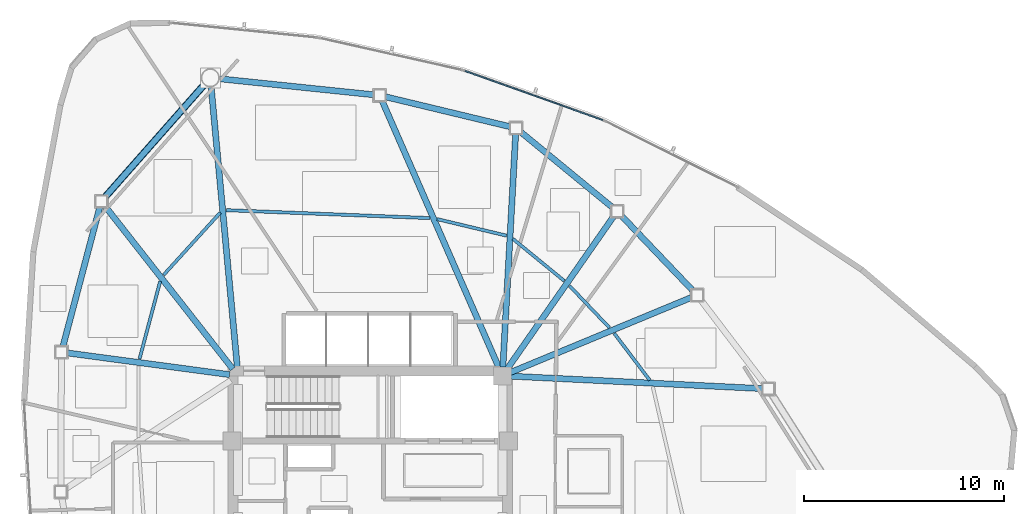
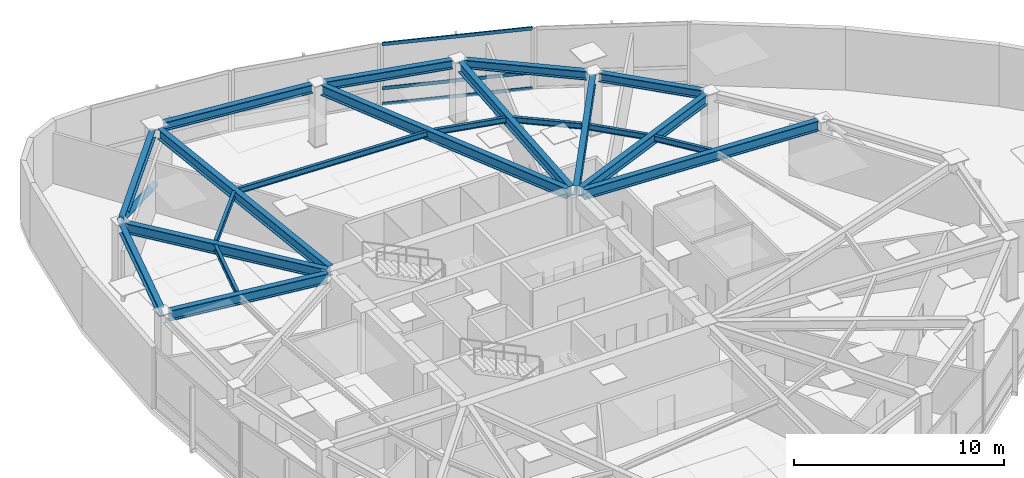
# One storey, part 7 of 17: 21 beams, 4 members, 1 element without a shape of its own.
"""IFC4 building model written with IfcOpenShell, lengths in metres."""

from ifc_helpers import new_model, si_unit, direction, frame, origin, origin_2d, place, context, subcontext, project, spatial, hollow_rectangle, hollow_circle, i_section, extrude, source, transform, mapped, material, layer, layer_set, material_profile, profile_set, type_object, type_shapes, element, aggregate, save


model = new_model("IFC4")

# Units and contexts
model_context = context("Model", 3, precision=1e-05, world=origin(), true_north=direction((0.0, 1.0)))
body_context = subcontext(model_context, "Body", "Model", "MODEL_VIEW")
ifc_project = project(units=[si_unit("LENGTHUNIT", "METRE"), si_unit("AREAUNIT", "SQUARE_METRE"), si_unit("VOLUMEUNIT", "CUBIC_METRE"), si_unit("PLANEANGLEUNIT", "RADIAN"), si_unit("MASSUNIT", "GRAM", prefix="KILO")], contexts=[model_context])

# Site, building, storey
site_placement = place(None, origin())
site = spatial("IfcSite", under=ifc_project, at=site_placement, CompositionType="ELEMENT")
building_placement = place(site_placement, origin())
building = spatial("IfcBuilding", under=site, at=building_placement, Name="Tavelor Broadcast Tower", CompositionType="ELEMENT")
storey_placement = place(building_placement, frame((0.0, 0.0, 188.75)))
storey = spatial("IfcBuildingStorey", under=building, at=storey_placement, Name="L45", CompositionType="ELEMENT", Elevation=188.75)

# Beams
ifc_material_1 = material(Name="Steel S355", Category="steel")
ifc_material_profile_1 = material_profile(ifc_material_1, i_section(OverallWidth=0.159912109375, OverallDepth=0.330078125, WebThickness=0.007568359375, FlangeThickness=0.011474609375, at=origin_2d()), Name="IPE 330")
ifc_profile_set_1 = profile_set([ifc_material_profile_1], Name="Steel S355")
beam_type_1 = type_object("IfcBeamType", Name="Composite Floor Joist T4 IPE 330", PredefinedType="JOIST", material=ifc_profile_set_1)
beam_1_placement = place(storey_placement, frame((42.505615234375, 59.343505859375, 3.385009765625), z_axis=(-0.672852052716, -0.739777071256, 0.0), x_axis=(0.739777071256, -0.672852052716, 0.0)))
element("IfcBeam", 1, at=beam_1_placement, inside=storey, type_object=beam_type_1, Name="L45 Secondary Composite Floor Joist 01", PredefinedType="JOIST", context=body_context, shape_type="SweptSolid", body=[
    extrude(i_section(OverallWidth=0.159912109375, OverallDepth=0.330078125, WebThickness=0.007568359375, FlangeThickness=0.011474609375, at=origin_2d()), origin(), (0.0, 0.0, 1.0), 4.202392578125),
])
beam_2_placement = place(storey_placement, frame((39.509521484375, 55.92578125, 3.385009765625), z_axis=(-0.256963595852, -0.966421083383, 0.0), x_axis=(0.966421083383, -0.256963595852, 0.0)))
element("IfcBeam", 2, at=beam_2_placement, inside=storey, type_object=beam_type_1, Name="L45 Secondary Composite Floor Joist 02", PredefinedType="JOIST", context=body_context, shape_type="SweptSolid", body=[
    extrude(i_section(OverallWidth=0.159912109375, OverallDepth=0.330078125, WebThickness=0.007568359375, FlangeThickness=0.011474609375, at=origin_2d()), origin(), (0.0, 0.0, 1.0), 4.021728515625),
])
beam_3_placement = place(storey_placement, frame((63.959716796875, 50.9755859375, 3.385009765625), z_axis=(-0.604116162247, 0.796896268351, 0.0), x_axis=(-0.796896268351, -0.604116162247, 0.0)))
element("IfcBeam", 3, at=beam_3_placement, inside=storey, type_object=beam_type_1, Name="L45 Secondary Composite Floor Joist 14", PredefinedType="JOIST", context=body_context, shape_type="SweptSolid", body=[
    extrude(i_section(OverallWidth=0.159912109375, OverallDepth=0.330078125, WebThickness=0.007568359375, FlangeThickness=0.011474609375, at=origin_2d()), origin(), (0.0, 0.0, 1.0), 2.94580078125),
])
beam_4_placement = place(storey_placement, frame((61.946044921875, 53.59814453125, 3.385009765625), z_axis=(-0.689642531817, 0.724149969487, 0.0), x_axis=(-0.724149969487, -0.689642531817, 0.0)))
element("IfcBeam", 4, at=beam_4_placement, inside=storey, type_object=beam_type_1, Name="L45 Secondary Composite Floor Joist 15", PredefinedType="JOIST", context=body_context, shape_type="SweptSolid", body=[
    extrude(i_section(OverallWidth=0.159912109375, OverallDepth=0.330078125, WebThickness=0.007568359375, FlangeThickness=0.011474609375, at=origin_2d()), origin(), (0.0, 0.0, 1.0), 2.893798828125),
])
beam_5_placement = place(storey_placement, frame((59.685791015625, 55.939453125, 3.385009765625), z_axis=(-0.773655391446, 0.633606609251, 0.0), x_axis=(-0.633606609251, -0.773655391446, 0.0)))
element("IfcBeam", 5, at=beam_5_placement, inside=storey, type_object=beam_type_1, Name="L45 Secondary Composite Floor Joist 16", PredefinedType="JOIST", context=body_context, shape_type="SweptSolid", body=[
    extrude(i_section(OverallWidth=0.159912109375, OverallDepth=0.330078125, WebThickness=0.007568359375, FlangeThickness=0.011474609375, at=origin_2d()), origin(), (0.0, 0.0, 1.0), 3.315673828125),
])
beam_6_placement = place(storey_placement, frame((56.804443359375, 58.197021484375, 3.385009765625), z_axis=(-0.972674676245, 0.232172294196, 0.0), x_axis=(-0.232172294196, -0.972674676245, 0.0)))
element("IfcBeam", 6, at=beam_6_placement, inside=storey, type_object=beam_type_1, Name="L45 Secondary Composite Floor Joist 17", PredefinedType="JOIST", context=body_context, shape_type="SweptSolid", body=[
    extrude(i_section(OverallWidth=0.159912109375, OverallDepth=0.330078125, WebThickness=0.007568359375, FlangeThickness=0.011474609375, at=origin_2d()), origin(), (0.0, 0.0, 1.0), 3.56884765625),
])
beam_7_placement = place(storey_placement, frame((52.976318359375, 59.07470703125, 3.385009765625), z_axis=(-0.999243420365, 0.038891989637, 0.0), x_axis=(-0.038891989637, -0.999243420365, 0.0)))
element("IfcBeam", 7, at=beam_7_placement, inside=storey, type_object=beam_type_1, Name="L45 Secondary Composite Floor Joist 18", PredefinedType="JOIST", context=body_context, shape_type="SweptSolid", body=[
    extrude(i_section(OverallWidth=0.159912109375, OverallDepth=0.330078125, WebThickness=0.007568359375, FlangeThickness=0.011474609375, at=origin_2d()), origin(), (0.0, 0.0, 1.0), 10.17578125),
])
ifc_material_profile_2 = material_profile(ifc_material_1, i_section(OverallWidth=0.300048828125, OverallDepth=0.5, WebThickness=0.014404296875, FlangeThickness=0.028076171875, at=origin_2d()), Name="HEB 500")
ifc_profile_set_2 = profile_set([ifc_material_profile_2], Name="Steel S355")
beam_type_2 = type_object("IfcBeamType", Name="Perimeter Spandrel Beam T4 HEB 500", PredefinedType="SPANDREL", material=ifc_profile_set_2)
beam_8_placement = place(storey_placement, frame((41.720947265625, 65.7509765625, 3.300048828125), z_axis=(-0.661625943185, -0.749834055845, 0.0), x_axis=(0.749834055845, -0.661625943185, 0.0)))
element("IfcBeam", 8, at=beam_8_placement, inside=storey, type_object=beam_type_2, Name="L45 Framed-Tube Ring Spandrel 01", PredefinedType="SPANDREL", context=body_context, shape_type="SweptSolid", body=[
    extrude(i_section(OverallWidth=0.300048828125, OverallDepth=0.5, WebThickness=0.014404296875, FlangeThickness=0.028076171875, at=origin_2d()), origin(), (0.0, 0.0, 1.0), 7.500732421875),
])
beam_9_placement = place(storey_placement, frame((36.493896484375, 59.63232421875, 3.300048828125), z_axis=(-0.255762341211, -0.96673968824, 0.0), x_axis=(0.96673968824, -0.255762341211, 0.0)))
element("IfcBeam", 9, at=beam_9_placement, inside=storey, type_object=beam_type_2, Name="L45 Framed-Tube Ring Spandrel 02", PredefinedType="SPANDREL", context=body_context, shape_type="SweptSolid", body=[
    extrude(i_section(OverallWidth=0.300048828125, OverallDepth=0.5, WebThickness=0.014404296875, FlangeThickness=0.028076171875, at=origin_2d()), origin(), (0.0, 0.0, 1.0), 7.214599609375),
])
beam_10_placement = place(storey_placement, frame((66.123291015625, 55.437255859375, 3.300048828125), z_axis=(-0.689936010055, 0.723870362723, 0.0), x_axis=(-0.723870362723, -0.689936010055, 0.0)))
element("IfcBeam", 10, at=beam_10_placement, inside=storey, type_object=beam_type_2, Name="L45 Framed-Tube Ring Spandrel 15", PredefinedType="SPANDREL", context=body_context, shape_type="SweptSolid", body=[
    extrude(i_section(OverallWidth=0.300048828125, OverallDepth=0.5, WebThickness=0.014404296875, FlangeThickness=0.028076171875, at=origin_2d()), origin(), (0.0, 0.0, 1.0), 5.208740234375),
])
beam_11_placement = place(storey_placement, frame((62.1083984375, 59.59912109375, 3.300048828125), z_axis=(-0.772717651191, 0.634749896839, 0.0), x_axis=(-0.634749896839, -0.772717651191, 0.0)))
element("IfcBeam", 11, at=beam_11_placement, inside=storey, type_object=beam_type_2, Name="L45 Framed-Tube Ring Spandrel 16", PredefinedType="SPANDREL", context=body_context, shape_type="SweptSolid", body=[
    extrude(i_section(OverallWidth=0.300048828125, OverallDepth=0.5, WebThickness=0.014404296875, FlangeThickness=0.028076171875, at=origin_2d()), origin(), (0.0, 0.0, 1.0), 5.965087890625),
])
beam_12_placement = place(storey_placement, frame((56.99658203125, 63.635498046875, 3.300048828125), z_axis=(-0.972354853411, 0.233508113452, 0.0), x_axis=(-0.233508113452, -0.972354853411, 0.0)))
element("IfcBeam", 12, at=beam_12_placement, inside=storey, type_object=beam_type_2, Name="L45 Framed-Tube Ring Spandrel 17", PredefinedType="SPANDREL", context=body_context, shape_type="SweptSolid", body=[
    extrude(i_section(OverallWidth=0.300048828125, OverallDepth=0.5, WebThickness=0.014404296875, FlangeThickness=0.028076171875, at=origin_2d()), origin(), (0.0, 0.0, 1.0), 6.421630859375),
])
beam_13_placement = place(storey_placement, frame((50.18603515625, 65.23193359375, 3.300048828125), z_axis=(-0.99466284774, 0.103178579783, 0.0), x_axis=(-0.103178579783, -0.99466284774, 0.0)))
element("IfcBeam", 13, at=beam_13_placement, inside=storey, type_object=beam_type_2, Name="L45 Framed-Tube Ring Spandrel 18", PredefinedType="SPANDREL", context=body_context, shape_type="SweptSolid", body=[
    extrude(i_section(OverallWidth=0.300048828125, OverallDepth=0.5, WebThickness=0.014404296875, FlangeThickness=0.028076171875, at=origin_2d()), origin(), (0.0, 0.0, 1.0), 7.780029296875),
])

# Member
ifc_material_profile_3 = material_profile(ifc_material_1, hollow_circle(Radius=0.177734375, WallThickness=0.01611328125, at=origin_2d()), Name="CHS 355.6x16")
ifc_profile_set_3 = profile_set([ifc_material_profile_3], Name="Steel S355")
member_type_1 = type_object("IfcMemberType", Name="Perimeter Tube Brace T4 CHS 355.6x16", PredefinedType="BRACE", material=ifc_profile_set_3)
member_1_placement = place(storey_placement, frame((42.01123046875, 66.080078125, 0.0), z_axis=(-0.607484590691, -0.688484352459, 0.396171387776), x_axis=(0.74983872131, -0.661620655681, 0.0)))
element("IfcMember", 14, at=member_1_placement, inside=storey, type_object=member_type_1, Name="L45 Corner Tube Diagonal Brace 1", PredefinedType="BRACE", context=body_context, shape_type="SweptSolid", body=[
    extrude(hollow_circle(Radius=0.177734375, WallThickness=0.01611328125, at=origin_2d()), origin(), (0.0, 0.0, 1.0), 8.9609375),
])

# Beams
ifc_material_profile_4 = material_profile(ifc_material_1, i_section(OverallWidth=0.300048828125, OverallDepth=0.590087890625, WebThickness=0.012939453125, FlangeThickness=0.02490234375, at=origin_2d()), Name="HEA 600")
ifc_profile_set_4 = profile_set([ifc_material_profile_4], Name="Steel S355")
beam_type_3 = type_object("IfcBeamType", Name="Radial Floor Girder T4 HEA 600", PredefinedType="BEAM", material=ifc_profile_set_4)
beam_14_placement = place(storey_placement, frame((43.35986328125, 51.630126953125, 3.2548828125), z_axis=(-0.092926929372, 0.995672931136, 0.0), x_axis=(-0.995672931136, -0.092926929372, 0.0)))
element("IfcBeam", 15, at=beam_14_placement, inside=storey, type_object=beam_type_3, Name="L45 Radial Primary Floor Girder 01", PredefinedType="BEAM", context=body_context, shape_type="SweptSolid", body=[
    extrude(i_section(OverallWidth=0.300048828125, OverallDepth=0.590087890625, WebThickness=0.012939453125, FlangeThickness=0.02490234375, at=origin_2d()), origin(), (0.0, 0.0, 1.0), 14.073974609375),
])
beam_15_placement = place(storey_placement, frame((43.13330078125, 51.539794921875, 3.2548828125), z_axis=(-0.617155684101, 0.786841065007, 0.0), x_axis=(-0.786841065007, -0.617155684101, 0.0)))
element("IfcBeam", 16, at=beam_15_placement, inside=storey, type_object=beam_type_3, Name="L45 Radial Primary Floor Girder 02", PredefinedType="BEAM", context=body_context, shape_type="SweptSolid", body=[
    extrude(i_section(OverallWidth=0.300048828125, OverallDepth=0.590087890625, WebThickness=0.012939453125, FlangeThickness=0.02490234375, at=origin_2d()), origin(), (0.0, 0.0, 1.0), 10.3505859375),
])
beam_16_placement = place(storey_placement, frame((42.9716796875, 51.257080078125, 3.2548828125), z_axis=(-0.991183810809, 0.132493974169, 0.0), x_axis=(-0.132493974169, -0.991183810809, 0.0)))
element("IfcBeam", 17, at=beam_16_placement, inside=storey, type_object=beam_type_3, Name="L45 Radial Primary Floor Girder 03", PredefinedType="BEAM", context=body_context, shape_type="SweptSolid", body=[
    extrude(i_section(OverallWidth=0.300048828125, OverallDepth=0.590087890625, WebThickness=0.012939453125, FlangeThickness=0.02490234375, at=origin_2d()), origin(), (0.0, 0.0, 1.0), 8.183349609375),
])
beam_17_placement = place(storey_placement, frame((57.031494140625, 51.1787109375, 3.2548828125), z_axis=(0.998783784198, -0.049304689662, 0.0), x_axis=(0.049304689662, 0.998783784198, 0.0)))
element("IfcBeam", 18, at=beam_17_placement, inside=storey, type_object=beam_type_3, Name="L45 Radial Primary Floor Girder 14", PredefinedType="BEAM", context=body_context, shape_type="SweptSolid", body=[
    extrude(i_section(OverallWidth=0.300048828125, OverallDepth=0.590087890625, WebThickness=0.012939453125, FlangeThickness=0.02490234375, at=origin_2d()), origin(), (0.0, 0.0, 1.0), 12.582275390625),
])
beam_18_placement = place(storey_placement, frame((56.9990234375, 51.365478515625, 3.2548828125), z_axis=(0.923827405628, 0.38280925356, 0.0), x_axis=(-0.38280925356, 0.923827405628, 0.0)))
element("IfcBeam", 19, at=beam_18_placement, inside=storey, type_object=beam_type_3, Name="L45 Radial Primary Floor Girder 15", PredefinedType="BEAM", context=body_context, shape_type="SweptSolid", body=[
    extrude(i_section(OverallWidth=0.300048828125, OverallDepth=0.590087890625, WebThickness=0.012939453125, FlangeThickness=0.02490234375, at=origin_2d()), origin(), (0.0, 0.0, 1.0), 9.8037109375),
])
beam_19_placement = place(storey_placement, frame((56.84716796875, 51.55419921875, 3.2548828125), z_axis=(0.572078083908, 0.820199162346, 0.0), x_axis=(-0.820199162346, 0.572078083908, 0.0)))
element("IfcBeam", 20, at=beam_19_placement, inside=storey, type_object=beam_type_3, Name="L45 Radial Primary Floor Girder 16", PredefinedType="BEAM", context=body_context, shape_type="SweptSolid", body=[
    extrude(i_section(OverallWidth=0.300048828125, OverallDepth=0.590087890625, WebThickness=0.012939453125, FlangeThickness=0.02490234375, at=origin_2d()), origin(), (0.0, 0.0, 1.0), 9.29736328125),
])
beam_20_placement = place(storey_placement, frame((56.62353515625, 51.63134765625, 3.2548828125), z_axis=(0.054637852805, 0.998506236856, 0.0), x_axis=(-0.998506236856, 0.054637852805, 0.0)))
element("IfcBeam", 21, at=beam_20_placement, inside=storey, type_object=beam_type_3, Name="L45 Radial Primary Floor Girder 17", PredefinedType="BEAM", context=body_context, shape_type="SweptSolid", body=[
    extrude(i_section(OverallWidth=0.300048828125, OverallDepth=0.590087890625, WebThickness=0.012939453125, FlangeThickness=0.02490234375, at=origin_2d()), origin(), (0.0, 0.0, 1.0), 11.666748046875),
])
beam_21_placement = place(storey_placement, frame((56.4267578125, 51.595703125, 3.2548828125), z_axis=(-0.4008997337, 0.916121937036, 0.0), x_axis=(-0.916121937036, -0.4008997337, 0.0)))
element("IfcBeam", 22, at=beam_21_placement, inside=storey, type_object=beam_type_3, Name="L45 Radial Primary Floor Girder 18", PredefinedType="BEAM", context=body_context, shape_type="SweptSolid", body=[
    extrude(i_section(OverallWidth=0.300048828125, OverallDepth=0.590087890625, WebThickness=0.012939453125, FlangeThickness=0.02490234375, at=origin_2d()), origin(), (0.0, 0.0, 1.0), 14.564453125),
])

# Curtain wall, members
ifc_material_2 = material(Name="Architectural Anodized Aluminium", Category="aluminium")
ifc_layer = layer(ifc_material_2, 0.18994140625)
ifc_layer_set = layer_set([ifc_layer], Name="Architectural Anodized Aluminium")
curtain_wall_type = type_object("IfcCurtainWallType", Name="Tower Mid-Zone Acoustic Curtain Wall CW03", PredefinedType="NOTDEFINED", material=ifc_layer_set)
curtain_wall_placement = place(storey_placement, origin())
curtain_wall = element("IfcCurtainWall", 23, at=curtain_wall_placement, inside=storey, type_object=curtain_wall_type, Name="L45 Curtain Wall CW03 Run 490", PredefinedType="NOTDEFINED")
ifc_material_profile_5 = material_profile(ifc_material_2, hollow_rectangle(XDim=0.068115234375, YDim=0.18994140625, WallThickness=0.02197265625, at=origin_2d()), Name="RHS 68x190x22")
ifc_profile_set_5 = profile_set([ifc_material_profile_5], Name="Architectural Anodized Aluminium")
member_type_2 = type_object("IfcMemberType", Name="CW03 Extruded Aluminium Transom 68x190", PredefinedType="USERDEFINED", material=ifc_profile_set_5)
shared_shape = source(origin(), body_context, "Body", "SweptSolid", [
    extrude(hollow_rectangle(XDim=0.068115234375, YDim=0.18994140625, WallThickness=0.02197265625, at=origin_2d()), origin(), (0.0, 0.0, 1.0), 7.28759765625),
])
type_shapes(member_type_2, [shared_shape])
member_2_placement = place(storey_placement, frame((61.60302734375, 63.973876953125, 0.033935546875), z_axis=(-0.941916111937, 0.335848236668, 0.0), x_axis=(-0.335848236668, -0.941916111937, 0.0)))
member_2 = element("IfcMember", 24, at=member_2_placement, type_object=member_type_2, Name="CW03 transom 1.1", ObjectType="TRANSOM", PredefinedType="USERDEFINED", context=body_context, shape_type="MappedRepresentation", body=[
    mapped(shared_shape, transform((0.0, 0.0, 0.0), scale=1.0)),
])
member_3_placement = place(storey_placement, frame((61.60302734375, 63.973876953125, 0.949951171875), z_axis=(-0.941916111937, 0.335848236668, 0.0), x_axis=(-0.335848236668, -0.941916111937, 0.0)))
member_3 = element("IfcMember", 25, at=member_3_placement, type_object=member_type_2, Name="CW03 transom 1.2", ObjectType="TRANSOM", PredefinedType="USERDEFINED", context=body_context, shape_type="MappedRepresentation", body=[
    mapped(shared_shape, transform((0.0, 0.0, 0.0), scale=1.0)),
])
member_4_placement = place(storey_placement, frame((61.60302734375, 63.973876953125, 3.51611328125), z_axis=(-0.941916111937, 0.335848236668, 0.0), x_axis=(-0.335848236668, -0.941916111937, 0.0)))
member_4 = element("IfcMember", 26, at=member_4_placement, type_object=member_type_2, Name="CW03 transom 1.3", ObjectType="TRANSOM", PredefinedType="USERDEFINED", context=body_context, shape_type="MappedRepresentation", body=[
    mapped(shared_shape, transform((0.0, 0.0, 0.0), scale=1.0)),
])
aggregate(curtain_wall, [member_2, member_3, member_4])

save(model, "model.ifc")
